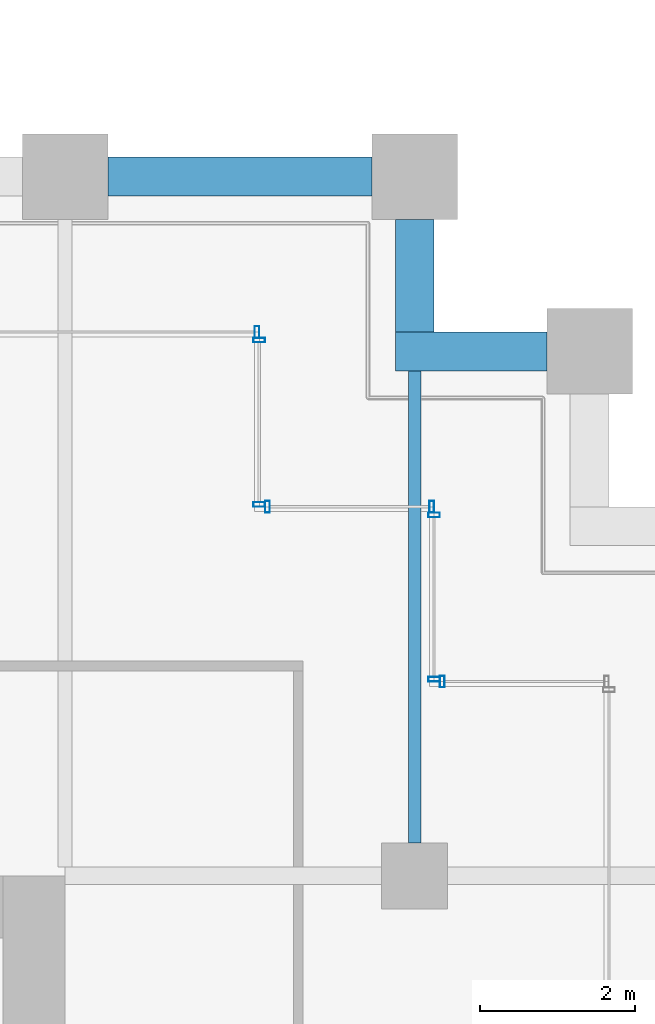
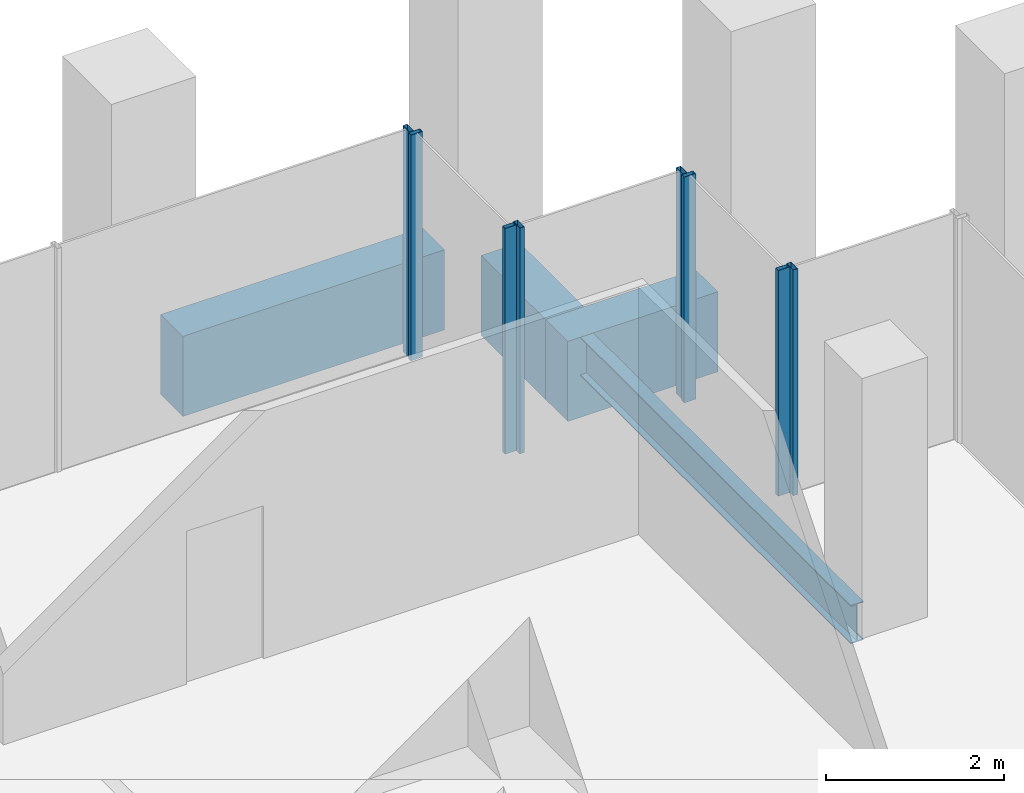
# One storey, part 45 of 56: 8 members, 4 beams, 5 elements without a shape of their own.
"""IFC4 building model written with IfcOpenShell, lengths in metres."""

from ifc_helpers import new_model, si_unit, direction, frame, origin, origin_2d, place, context, subcontext, project, spatial, rectangle, hollow_rectangle, i_section, extrude, material, material_profile, profile_set, type_object, element, aggregate, save


model = new_model("IFC4")

# Units and contexts
model_context = context("Model", 3, precision=1e-05, world=origin(), true_north=direction((0.0, 1.0)))
body_context = subcontext(model_context, "Body", "Model", "MODEL_VIEW")
ifc_project = project(units=[si_unit("LENGTHUNIT", "METRE"), si_unit("AREAUNIT", "SQUARE_METRE"), si_unit("VOLUMEUNIT", "CUBIC_METRE"), si_unit("PLANEANGLEUNIT", "RADIAN"), si_unit("MASSUNIT", "GRAM", prefix="KILO")], contexts=[model_context])

# Site, building, storey
site_placement = place(None, origin())
site = spatial("IfcSite", under=ifc_project, at=site_placement, CompositionType="ELEMENT")
building_placement = place(site_placement, origin())
building = spatial("IfcBuilding", under=site, at=building_placement, Name="Altepetl Exchange Towers", CompositionType="ELEMENT")
storey_placement = place(building_placement, frame((0.0, 0.0, 83.39990234375)))
storey = spatial("IfcBuildingStorey", under=building, at=storey_placement, Name="L20", CompositionType="ELEMENT", Elevation=83.39990234375)

# Beam
ifc_material_1 = material(Name="Steel S355", Category="steel")
ifc_material_profile_1 = material_profile(ifc_material_1, i_section(OverallWidth=0.166015625, OverallDepth=0.529052734375, WebThickness=0.009765625, FlangeThickness=0.013671875, at=origin_2d()), Name="W21X50")
ifc_profile_set_1 = profile_set([ifc_material_profile_1], Name="Steel S355")
beam_type_1 = type_object("IfcBeamType", Name="Floor beam W21X50", PredefinedType="BEAM", material=ifc_profile_set_1)
beam_1_placement = place(storey_placement, frame((121.5, 49.925048828125, -0.414306640625), z_axis=(0.0, 1.0, 0.0), x_axis=(-1.0, 0.0, 0.0)))
element("IfcBeam", 1, at=beam_1_placement, inside=storey, type_object=beam_type_1, Name="bm:B:L20:003", PredefinedType="BEAM", context=body_context, shape_type="SweptSolid", body=[
    extrude(i_section(OverallWidth=0.166015625, OverallDepth=0.529052734375, WebThickness=0.009765625, FlangeThickness=0.013671875, at=origin_2d()), origin(), (0.0, 0.0, 1.0), 6.074951171875),
])

# Curtain wall, member
ifc_material_2 = material(Name="Aluminium 6063-T6 glazing", Category="aluminium")
curtain_wall_type = type_object("IfcCurtainWallType", Name="Loggia glazing system", PredefinedType="NOTDEFINED", material=ifc_material_2)
curtain_wall_1_placement = place(storey_placement, origin())
curtain_wall_1 = element("IfcCurtainWall", 2, at=curtain_wall_1_placement, inside=storey, type_object=curtain_wall_type, Name="CW1 run", PredefinedType="NOTDEFINED")
ifc_material_3 = material(Name="Aluminium 6063-T6", Category="aluminium")
ifc_material_profile_2 = material_profile(ifc_material_3, hollow_rectangle(XDim=0.06005859375, YDim=0.14990234375, WallThickness=0.0029296875, at=origin_2d()), Name="Mullion 60x150 aluminium")
ifc_profile_set_2 = profile_set([ifc_material_profile_2], Name="Aluminium 6063-T6")
member_type = type_object("IfcMemberType", Name="Mullion 60x150 aluminium", PredefinedType="MULLION", material=ifc_profile_set_2)
member_1_placement = place(storey_placement, frame((121.85498046875, 52.0, 0.0), z_axis=(0.0, 0.0, 1.0), x_axis=(-1.0, 0.0, 0.0)))
member_1 = element("IfcMember", 3, at=member_1_placement, type_object=member_type, Name="MU1 mullion", PredefinedType="MULLION", context=body_context, shape_type="SweptSolid", body=[
    extrude(hollow_rectangle(XDim=0.06005859375, YDim=0.14990234375, WallThickness=0.0029296875, at=origin_2d()), origin(), (0.0, 0.0, 1.0), 3.10009765625),
])
aggregate(curtain_wall_1, [member_1])

# Curtain wall, members
curtain_wall_2_placement = place(storey_placement, origin())
curtain_wall_2 = element("IfcCurtainWall", 4, at=curtain_wall_2_placement, inside=storey, type_object=curtain_wall_type, Name="CW1 run", PredefinedType="NOTDEFINED")
member_2_placement = place(storey_placement, frame((121.75, 52.030029296875, 0.0), z_axis=(0.0, 0.0, 1.0), x_axis=(0.0, 1.0, 0.0)))
member_2 = element("IfcMember", 5, at=member_2_placement, type_object=member_type, Name="MU1 mullion", PredefinedType="MULLION", context=body_context, shape_type="SweptSolid", body=[
    extrude(hollow_rectangle(XDim=0.06005859375, YDim=0.14990234375, WallThickness=0.0029296875, at=origin_2d()), origin(), (0.0, 0.0, 1.0), 3.10009765625),
])
member_3_placement = place(storey_placement, frame((121.75, 54.14501953125, 0.0), z_axis=(0.0, 0.0, 1.0), x_axis=(0.0, 1.0, 0.0)))
member_3 = element("IfcMember", 6, at=member_3_placement, type_object=member_type, Name="MU1 mullion", PredefinedType="MULLION", context=body_context, shape_type="SweptSolid", body=[
    extrude(hollow_rectangle(XDim=0.06005859375, YDim=0.14990234375, WallThickness=0.0029296875, at=origin_2d()), origin(), (0.0, 0.0, 1.0), 3.10009765625),
])
aggregate(curtain_wall_2, [member_2, member_3])

curtain_wall_3_placement = place(storey_placement, origin())
curtain_wall_3 = element("IfcCurtainWall", 7, at=curtain_wall_3_placement, inside=storey, type_object=curtain_wall_type, Name="CW1 run", PredefinedType="NOTDEFINED")
member_4_placement = place(storey_placement, frame((121.719970703125, 54.25, 0.0), z_axis=(0.0, 0.0, 1.0), x_axis=(-1.0, 0.0, 0.0)))
member_4 = element("IfcMember", 8, at=member_4_placement, type_object=member_type, Name="MU1 mullion", PredefinedType="MULLION", context=body_context, shape_type="SweptSolid", body=[
    extrude(hollow_rectangle(XDim=0.06005859375, YDim=0.14990234375, WallThickness=0.0029296875, at=origin_2d()), origin(), (0.0, 0.0, 1.0), 3.10009765625),
])
member_5_placement = place(storey_placement, frame((119.60498046875, 54.25, 0.0), z_axis=(0.0, 0.0, 1.0), x_axis=(-1.0, 0.0, 0.0)))
member_5 = element("IfcMember", 9, at=member_5_placement, type_object=member_type, Name="MU1 mullion", PredefinedType="MULLION", context=body_context, shape_type="SweptSolid", body=[
    extrude(hollow_rectangle(XDim=0.06005859375, YDim=0.14990234375, WallThickness=0.0029296875, at=origin_2d()), origin(), (0.0, 0.0, 1.0), 3.10009765625),
])
aggregate(curtain_wall_3, [member_4, member_5])

curtain_wall_4_placement = place(storey_placement, origin())
curtain_wall_4 = element("IfcCurtainWall", 10, at=curtain_wall_4_placement, inside=storey, type_object=curtain_wall_type, Name="CW1 run", PredefinedType="NOTDEFINED")
member_6_placement = place(storey_placement, frame((119.5, 54.280029296875, 0.0), z_axis=(0.0, 0.0, 1.0), x_axis=(0.0, 1.0, 0.0)))
member_6 = element("IfcMember", 11, at=member_6_placement, type_object=member_type, Name="MU1 mullion", PredefinedType="MULLION", context=body_context, shape_type="SweptSolid", body=[
    extrude(hollow_rectangle(XDim=0.06005859375, YDim=0.14990234375, WallThickness=0.0029296875, at=origin_2d()), origin(), (0.0, 0.0, 1.0), 3.10009765625),
])
member_7_placement = place(storey_placement, frame((119.5, 56.39501953125, 0.0), z_axis=(0.0, 0.0, 1.0), x_axis=(0.0, 1.0, 0.0)))
member_7 = element("IfcMember", 12, at=member_7_placement, type_object=member_type, Name="MU1 mullion", PredefinedType="MULLION", context=body_context, shape_type="SweptSolid", body=[
    extrude(hollow_rectangle(XDim=0.06005859375, YDim=0.14990234375, WallThickness=0.0029296875, at=origin_2d()), origin(), (0.0, 0.0, 1.0), 3.10009765625),
])
aggregate(curtain_wall_4, [member_6, member_7])

# Curtain wall, member
curtain_wall_5_placement = place(storey_placement, origin())
curtain_wall_5 = element("IfcCurtainWall", 13, at=curtain_wall_5_placement, inside=storey, type_object=curtain_wall_type, Name="CW1 run", PredefinedType="NOTDEFINED")
member_8_placement = place(storey_placement, frame((119.469970703125, 56.5, 0.0), z_axis=(0.0, 0.0, 1.0), x_axis=(-1.0, 0.0, 0.0)))
member_8 = element("IfcMember", 14, at=member_8_placement, type_object=member_type, Name="MU1 mullion", PredefinedType="MULLION", context=body_context, shape_type="SweptSolid", body=[
    extrude(hollow_rectangle(XDim=0.06005859375, YDim=0.14990234375, WallThickness=0.0029296875, at=origin_2d()), origin(), (0.0, 0.0, 1.0), 3.10009765625),
])
aggregate(curtain_wall_5, [member_8])

# Beams
ifc_material_4 = material(Name="Concrete C50/60 precast with cantera amarilla facing", Category="concrete")
ifc_material_profile_3 = material_profile(ifc_material_4, rectangle(XDim=0.5, YDim=1.10009765625, at=origin_2d()), Name="500 x 1100")
ifc_profile_set_3 = profile_set([ifc_material_profile_3], Name="Concrete C50/60 precast with cantera amarilla facing")
beam_type_2 = type_object("IfcBeamType", Name="Spandrel beam 500x1100 cantera amarilla", PredefinedType="SPANDREL", material=ifc_profile_set_3)
beam_2_placement = place(storey_placement, frame((123.199951171875, 56.25, -0.699951171875), z_axis=(-1.0, 0.0, 0.0), x_axis=(0.0, -1.0, 0.0)))
element("IfcBeam", 15, at=beam_2_placement, inside=storey, type_object=beam_type_2, Name="sp:B:L20:016", PredefinedType="SPANDREL", context=body_context, shape_type="SweptSolid", body=[
    extrude(rectangle(XDim=0.5, YDim=1.10009765625, at=origin_2d()), origin(), (0.0, 0.0, 1.0), 1.949951171875),
])
beam_3_placement = place(storey_placement, frame((121.5, 56.5, -0.699951171875), z_axis=(0.0, 1.0, 0.0), x_axis=(-1.0, 0.0, 0.0)))
element("IfcBeam", 16, at=beam_3_placement, inside=storey, type_object=beam_type_2, Name="sp:B:L20:017", PredefinedType="SPANDREL", context=body_context, shape_type="SweptSolid", body=[
    extrude(rectangle(XDim=0.5, YDim=1.10009765625, at=origin_2d()), origin(), (0.0, 0.0, 1.0), 1.449951171875),
])
beam_4_placement = place(storey_placement, frame((120.949951171875, 58.5, -0.699951171875), z_axis=(-1.0, 0.0, 0.0), x_axis=(0.0, -1.0, 0.0)))
element("IfcBeam", 17, at=beam_4_placement, inside=storey, type_object=beam_type_2, Name="sp:B:L20:018", PredefinedType="SPANDREL", context=body_context, shape_type="SweptSolid", body=[
    extrude(rectangle(XDim=0.5, YDim=1.10009765625, at=origin_2d()), origin(), (0.0, 0.0, 1.0), 3.39990234375),
])

save(model, "model.ifc")
